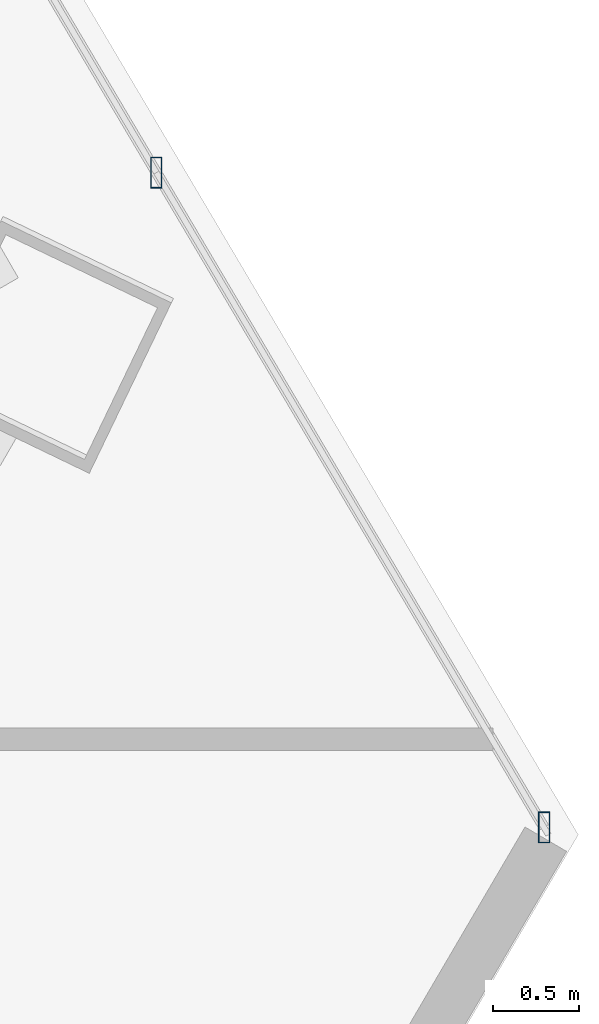
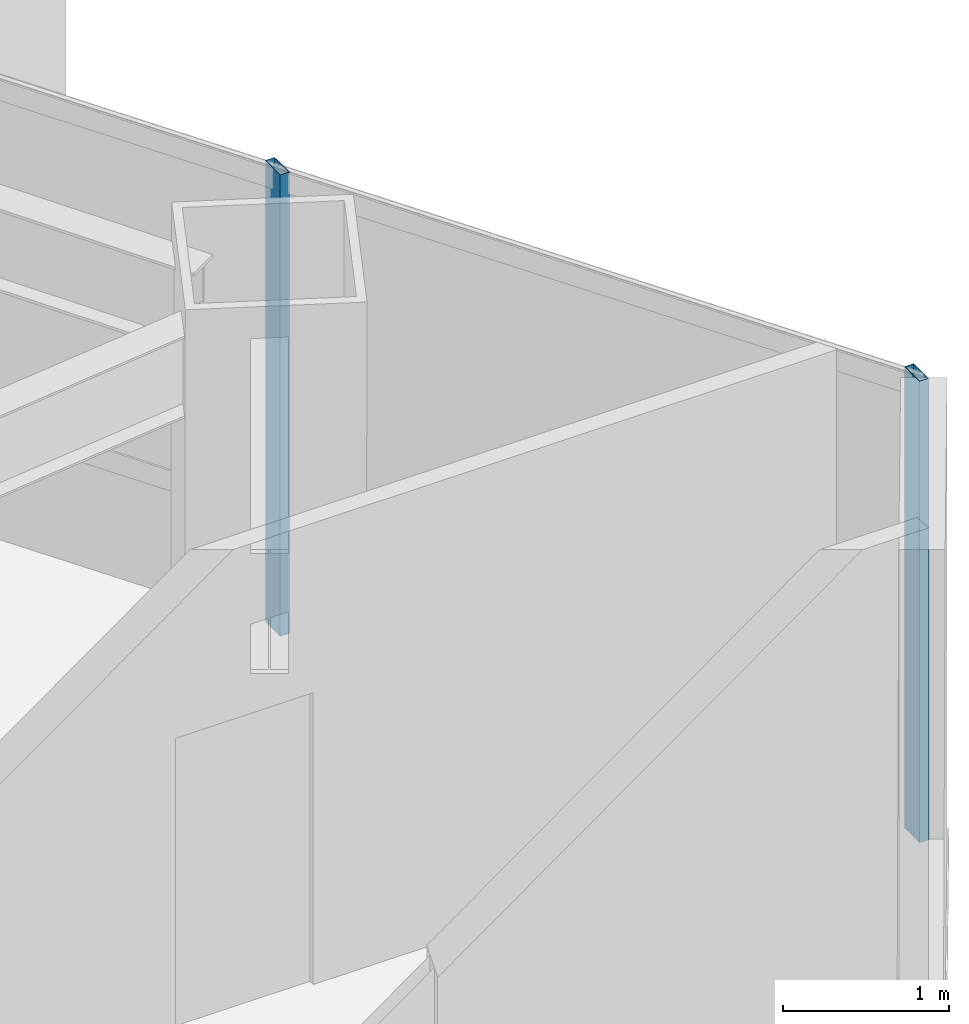
# One storey, part 20 of 35: 2 members, 1 element without a shape of its own.
"""IFC4 building model written with IfcOpenShell, lengths in metres."""

import ifcopenshell
import ifcopenshell.guid

model = None  # the IFC model being written
_history = None  # IfcOwnerHistory: only IFC2X3 demands one
_inside = {}  # id of a spatial element -> (the spatial element, [elements in it])
_under = {}  # id of a project, library or spatial element -> (it, [spatial elements below it])
_declared = {}  # id of a project -> (the project, [libraries it declares])
_typed = {}  # id of a type object -> (the type object, [elements of that type])
_made_of = {}  # id of a material, layer set ... -> (it, [elements and type objects made of it])


def new_model(schema):
    """Start an empty IFC model of exactly this schema.

    Asked for "IFC4X3", IfcOpenShell would pick the latest addendum, in which some entities
    have other attributes; the version numbers below select the first issue.
    IFC2X3 requires an IfcOwnerHistory on every rooted entity: one is made here for all.
    """
    global model, _history
    if schema == "IFC4X3":
        model = ifcopenshell.file(schema_version=(4, 3, 0, 0))
    else:
        model = ifcopenshell.file(schema=schema)
    _inside.clear()
    _under.clear()
    _declared.clear()
    _typed.clear()
    _made_of.clear()
    _history = None
    if model.schema == "IFC2X3":
        org = make("IfcOrganization", Name="unknown")
        user = make(
            "IfcPersonAndOrganization",
            ThePerson=make("IfcPerson", FamilyName="unknown"),
            TheOrganization=org,
        )
        app = make(
            "IfcApplication",
            ApplicationDeveloper=org,
            Version="unknown",
            ApplicationFullName="unknown",
            ApplicationIdentifier="unknown",
        )
        _history = make(
            "IfcOwnerHistory",
            OwningUser=user,
            OwningApplication=app,
            ChangeAction="ADDED",
            CreationDate=0,
        )
    return model


def make(cls, **values):
    """One entity of the class cls with the attributes given. An attribute that is None is left unset."""
    return model.create_entity(
        cls, **{name: value for name, value in values.items() if value is not None}
    )


def rooted(cls, **values):
    """An entity with a GlobalId (a new one), such as an element, a storey or a relation."""
    return make(cls, GlobalId=ifcopenshell.guid.new(), OwnerHistory=_history, **values)


def si_unit(unit_type, name, prefix=None):
    """IfcSIUnit, for example si_unit("LENGTHUNIT", "METRE", prefix="MILLI")."""
    return make("IfcSIUnit", UnitType=unit_type, Prefix=prefix, Name=name)


def assignment(units):
    """IfcUnitAssignment: the units of a project."""
    return None if units is None else make("IfcUnitAssignment", Units=units)


def point(xyz):
    """IfcCartesianPoint."""
    return None if xyz is None else make("IfcCartesianPoint", Coordinates=xyz)


def direction(xyz):
    """IfcDirection."""
    return None if xyz is None else make("IfcDirection", DirectionRatios=xyz)


def frame(location, z_axis=None, x_axis=None):
    """IfcAxis2Placement3D, a coordinate frame: its origin and axes. An axis left out is left unset."""
    return make(
        "IfcAxis2Placement3D",
        Location=point(location),
        Axis=direction(z_axis),
        RefDirection=direction(x_axis),
    )


def frame_2d(location, x_axis=None):
    """IfcAxis2Placement2D, a coordinate frame in the plane: its origin and x axis."""
    return make(
        "IfcAxis2Placement2D", Location=point(location), RefDirection=direction(x_axis)
    )


def origin():
    """The frame at (0, 0, 0) with its axes left unset."""
    return frame((0.0, 0.0, 0.0))


def origin_2d():
    """The frame at (0, 0) in the plane with its x axis left unset."""
    return frame_2d((0.0, 0.0))


def place(relative_to, where):
    """IfcLocalPlacement: puts the frame where relative to a parent placement (None: the world)."""
    return make(
        "IfcLocalPlacement", PlacementRelTo=relative_to, RelativePlacement=where
    )


def context(
    kind, dimensions, precision=None, world=None, true_north=None, identifier=None
):
    """IfcGeometricRepresentationContext, for example the 3D "Model" context."""
    return make(
        "IfcGeometricRepresentationContext",
        ContextIdentifier=identifier,
        ContextType=kind,
        CoordinateSpaceDimension=dimensions,
        Precision=precision,
        WorldCoordinateSystem=world,
        TrueNorth=true_north,
    )


def subcontext(parent, identifier, kind, view, scale=None):
    """IfcGeometricRepresentationSubContext, for example "Body" below "Model"."""
    return make(
        "IfcGeometricRepresentationSubContext",
        ContextIdentifier=identifier,
        ContextType=kind,
        ParentContext=parent,
        TargetScale=scale,
        TargetView=view,
    )


def project(units=None, contexts=None):
    """IfcProject with its units and contexts."""
    return rooted(
        "IfcProject",
        Name="project",
        RepresentationContexts=contexts,
        UnitsInContext=assignment(units),
    )


def spatial(cls, under=None, at=None, **own):
    """A site, building, storey or space (cls), placed at a placement, below another one or the project."""
    s = rooted(cls, ObjectPlacement=at, **own)
    if under is not None:
        _under.setdefault(under.id(), (under, []))[1].append(s)
    return s


def profile(cls, at=None, kind="AREA", **sizes):
    """A parametric profile (cls). Its sizes go by their IFC names, for example OverallWidth=200.0."""
    return make(cls, ProfileType=kind, Position=at, **sizes)


def hollow_rectangle(**sizes):
    """IfcRectangleHollowProfileDef."""
    return profile("IfcRectangleHollowProfileDef", **sizes)


def extrude(swept, where, along, depth):
    """IfcExtrudedAreaSolid: the profile swept, set in the frame where, extruded along a direction by depth."""
    return make(
        "IfcExtrudedAreaSolid",
        SweptArea=swept,
        Position=where,
        ExtrudedDirection=direction(along),
        Depth=depth,
    )


def shape(context_of_items, identifier, shape_type, items):
    """IfcShapeRepresentation: the items that make up one representation, for example the "Body"."""
    return make(
        "IfcShapeRepresentation",
        ContextOfItems=context_of_items,
        RepresentationIdentifier=identifier,
        RepresentationType=shape_type,
        Items=items,
    )


def source(mapping_origin, context_of_items, identifier, shape_type, items):
    """IfcRepresentationMap: a shape defined once, which mapped items show again and again."""
    return make(
        "IfcRepresentationMap",
        MappingOrigin=mapping_origin,
        MappedRepresentation=shape(context_of_items, identifier, shape_type, items),
    )


def transform(
    local_origin,
    x_axis=None,
    y_axis=None,
    z_axis=None,
    scale=None,
    scale2=None,
    scale3=None,
    uniform=True,
):
    """IfcCartesianTransformationOperator3D, or its non-uniform kind. x_axis, y_axis, z_axis: its Axis1, 2, 3."""
    if uniform:
        return make(
            "IfcCartesianTransformationOperator3D",
            Axis1=direction(x_axis),
            Axis2=direction(y_axis),
            LocalOrigin=point(local_origin),
            Scale=scale,
            Axis3=direction(z_axis),
        )
    return make(
        "IfcCartesianTransformationOperator3DnonUniform",
        Axis1=direction(x_axis),
        Axis2=direction(y_axis),
        LocalOrigin=point(local_origin),
        Scale=scale,
        Axis3=direction(z_axis),
        Scale2=scale2,
        Scale3=scale3,
    )


def mapped(mapping_source, mapping_target):
    """IfcMappedItem: shows the shape of a source again, moved by a transform."""
    return make(
        "IfcMappedItem", MappingSource=mapping_source, MappingTarget=mapping_target
    )


def material(Name=None, Category=None):
    """IfcMaterial."""
    return make("IfcMaterial", Name=Name, Category=Category)


def material_profile(
    of_material, cross_section, Name=None, Category=None, Priority=None
):
    """IfcMaterialProfile: a cross section and its material."""
    return make(
        "IfcMaterialProfile",
        Name=Name,
        Material=of_material,
        Profile=cross_section,
        Priority=Priority,
        Category=Category,
    )


def profile_set(profiles, Name=None, composite=None):
    """IfcMaterialProfileSet."""
    return make(
        "IfcMaterialProfileSet",
        Name=Name,
        MaterialProfiles=profiles,
        CompositeProfile=composite,
    )


def made_of(thing, what):
    """Note that an element or type object is made of a material, layer set ...; save() writes the relation."""
    if what is not None:
        _made_of.setdefault(what.id(), (what, []))[1].append(thing)
    return thing


def type_object(cls, material=None, **own):
    """A type object (cls), such as IfcWallType, which elements share."""
    return made_of(rooted(cls, **own), material)


def type_shapes(of_type, sources):
    """Give a type object the sources (RepresentationMaps) that its elements show as mapped items."""
    of_type.RepresentationMaps = sources


def element(
    cls,
    number,
    at=None,
    inside=None,
    cuts=None,
    type_object=None,
    material=None,
    context=None,
    identifier="Body",
    shape_type=None,
    held_by="IfcProductDefinitionShape",
    body=None,
    shapes=None,
    **own,
):
    """One element of the class cls, such as IfcWall. Its Tag is "e" and its number.

    at: its placement. inside: the storey or other place that contains it. cuts: it is an
    opening in that element (IfcRelVoidsElement). A single representation is given by context,
    identifier, shape_type and body (its items); several are given by shapes. held_by: the class
    of the entity that holds the representations. save() writes the other relations.
    """
    e = rooted(cls, Tag="e%d" % number, ObjectPlacement=at, **own)
    if body is not None:
        shapes = [shape(context, identifier, shape_type, body)]
    if shapes is not None:
        e.Representation = make(held_by, Representations=shapes)
    if inside is not None:
        _inside.setdefault(inside.id(), (inside, []))[1].append(e)
    if cuts is not None:
        rooted(
            "IfcRelVoidsElement", RelatingBuildingElement=cuts, RelatedOpeningElement=e
        )
    if type_object is not None:
        _typed.setdefault(type_object.id(), (type_object, []))[1].append(e)
    return made_of(e, material)


def aggregate(whole, parts):
    """IfcRelAggregates: a whole, such as a stair, and the parts it consists of."""
    return rooted("IfcRelAggregates", RelatingObject=whole, RelatedObjects=parts)


def save(model, path):
    """Write the relations noted so far, then the file.

    IfcRelAggregates (storeys below a building ...), IfcRelContainedInSpatialStructure (elements
    in a storey), IfcRelDefinesByType, IfcRelAssociatesMaterial and IfcRelDeclares: one each for
    every whole, place, type object, material and project.
    """
    for whole, parts in _under.values():
        aggregate(whole, parts)
    for where, things in _inside.values():
        rooted(
            "IfcRelContainedInSpatialStructure",
            RelatedElements=things,
            RelatingStructure=where,
        )
    for kind, things in _typed.values():
        rooted("IfcRelDefinesByType", RelatedObjects=things, RelatingType=kind)
    for what, things in _made_of.values():
        rooted("IfcRelAssociatesMaterial", RelatedObjects=things, RelatingMaterial=what)
    for by, libraries in _declared.values():
        rooted("IfcRelDeclares", RelatingContext=by, RelatedDefinitions=libraries)
    model.write(path)


model = new_model("IFC4")

# Units and contexts
model_context = context("Model", 3, precision=1e-05, world=origin(), true_north=direction((0.0, 1.0)))
body_context = subcontext(model_context, "Body", "Model", "MODEL_VIEW")
ifc_project = project(units=[si_unit("LENGTHUNIT", "METRE"), si_unit("AREAUNIT", "SQUARE_METRE"), si_unit("VOLUMEUNIT", "CUBIC_METRE"), si_unit("PLANEANGLEUNIT", "RADIAN"), si_unit("MASSUNIT", "GRAM", prefix="KILO")], contexts=[model_context])

# Site, building, storey
site_placement = place(None, origin())
site = spatial("IfcSite", under=ifc_project, at=site_placement, CompositionType="ELEMENT")
building_placement = place(site_placement, origin())
building = spatial("IfcBuilding", under=site, at=building_placement, Name="Caelisora Broadcast Tower", CompositionType="ELEMENT")
storey_placement = place(building_placement, frame((0.0, 0.0, 98.10009765625)))
storey = spatial("IfcBuildingStorey", under=building, at=storey_placement, Name="L25", CompositionType="ELEMENT", Elevation=98.10009765625)

# Curtain wall, members
ifc_material_1 = material(Name="Unitised Aluminium and Low-E Glass Curtain Wall", Category="glass")
curtain_wall_type = type_object("IfcCurtainWallType", Name="CW-Z2", PredefinedType="NOTDEFINED", material=ifc_material_1)
curtain_wall_placement = place(storey_placement, origin())
curtain_wall = element("IfcCurtainWall", 1, at=curtain_wall_placement, inside=storey, type_object=curtain_wall_type, Name="L25 curtain wall CW-Z2", PredefinedType="NOTDEFINED")
ifc_material_2 = material(Name="Aluminium 6063-T6 Anodised Terracotta Bronze", Category="aluminium")
ifc_material_profile = material_profile(ifc_material_2, hollow_rectangle(XDim=0.06494140625, YDim=0.179931640625, WallThickness=0.00341796875, at=origin_2d()), Name="Aluminium 6063-T6 Anodised Terracotta Bronze")
ifc_profile_set = profile_set([ifc_material_profile], Name="Aluminium 6063-T6 Anodised Terracotta Bronze")
member_type = type_object("IfcMemberType", Name="CWM-02", PredefinedType="MULLION", material=ifc_profile_set)
shared_shape = source(origin(), body_context, "Body", "SweptSolid", [
    extrude(hollow_rectangle(XDim=0.06494140625, YDim=0.179931640625, WallThickness=0.00341796875, at=origin_2d()), origin(), (0.0, 0.0, 1.0), 3.39990234375),
])
type_shapes(member_type, [shared_shape])
member_1_placement = place(storey_placement, frame((61.84423828125, 20.396728515625, 0.0), z_axis=(0.0, 0.0, 1.0), x_axis=(1.0, 0.0, 0.0)))
member_1 = element("IfcMember", 2, at=member_1_placement, type_object=member_type, Name="L25-CW-B03 mullion #2", PredefinedType="MULLION", context=body_context, shape_type="MappedRepresentation", body=[
    mapped(shared_shape, transform((0.0, 0.0, 0.0), scale=1.0)),
])
member_2_placement = place(storey_placement, frame((64.099609375, 16.5869140625, 0.0), z_axis=(0.0, 0.0, 1.0), x_axis=(1.0, 0.0, 0.0)))
member_2 = element("IfcMember", 3, at=member_2_placement, type_object=member_type, Name="L25-CW-B03 mullion #3", PredefinedType="MULLION", context=body_context, shape_type="MappedRepresentation", body=[
    mapped(shared_shape, transform((0.0, 0.0, 0.0), scale=1.0)),
])
aggregate(curtain_wall, [member_1, member_2])

save(model, "model.ifc")
